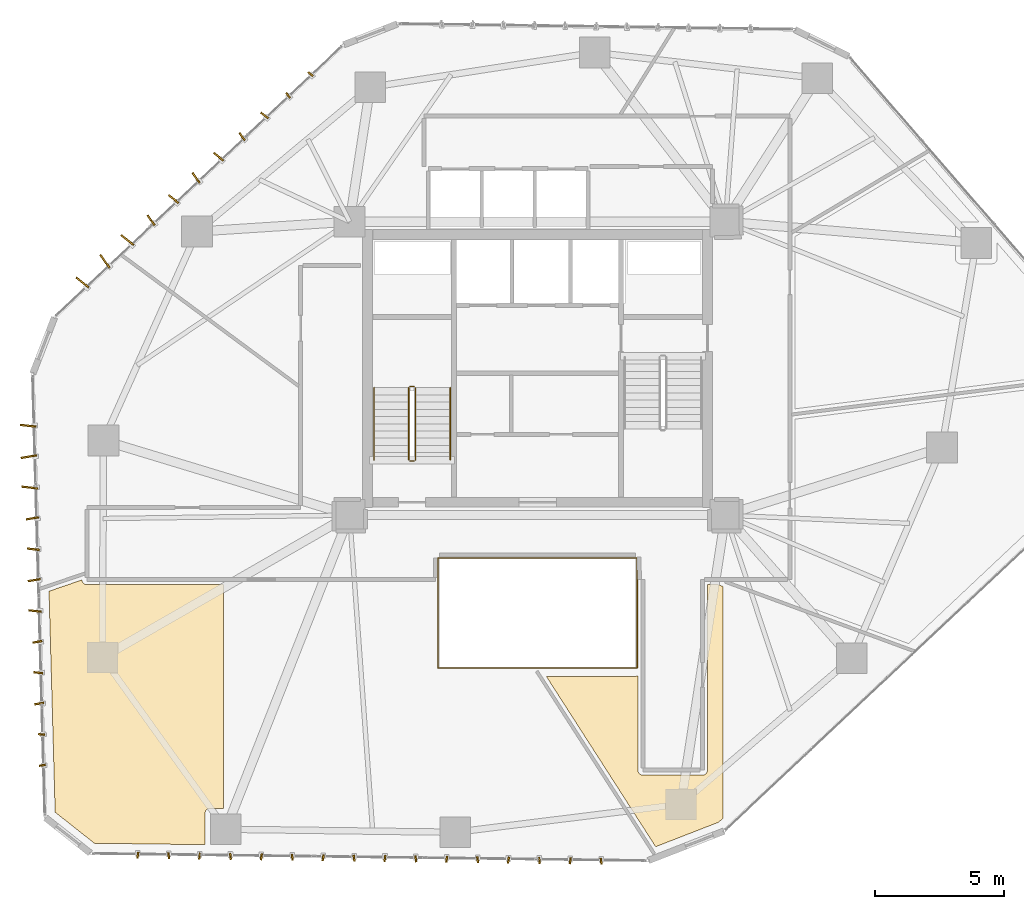
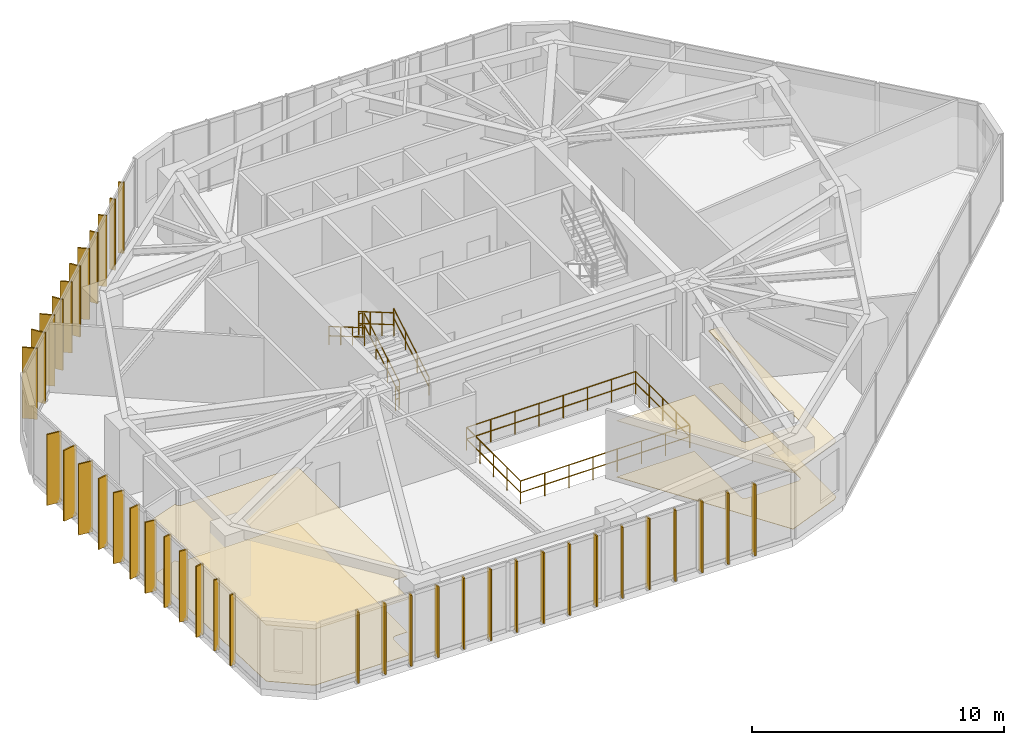
# One storey, part 21 of 22: 39 shading devices, 10 railings, 4 coverings.
"""IFC4 building model written with IfcOpenShell, lengths in metres."""

from ifc_helpers import new_model, si_unit, direction, frame, origin, origin_2d, place, context, subcontext, project, spatial, polyline, rectangle, circle, outline, extrude, source, transform, mapped, material, layer, layer_set, type_object, type_shapes, element, save


model = new_model("IFC4")

# Units and contexts
model_context = context("Model", 3, precision=1e-05, world=origin(), true_north=direction((0.0, 1.0)))
body_context = subcontext(model_context, "Body", "Model", "MODEL_VIEW")
ifc_project = project(units=[si_unit("LENGTHUNIT", "METRE"), si_unit("AREAUNIT", "SQUARE_METRE"), si_unit("VOLUMEUNIT", "CUBIC_METRE"), si_unit("PLANEANGLEUNIT", "RADIAN"), si_unit("MASSUNIT", "GRAM", prefix="KILO")], contexts=[model_context])

# Site, building, storey
site_placement = place(None, origin())
site = spatial("IfcSite", under=ifc_project, at=site_placement, CompositionType="ELEMENT")
building_placement = place(site_placement, origin())
building = spatial("IfcBuilding", under=site, at=building_placement, Name="Talar Marvaseh", CompositionType="ELEMENT")
storey_placement = place(building_placement, frame((0.0, 0.0, 89.39990234375)))
storey = spatial("IfcBuildingStorey", under=building, at=storey_placement, Name="L22", CompositionType="ELEMENT", Elevation=89.39990234375)

# Railings
ifc_material_1 = material(Name="Stainless Steel Grade 316", Category="steel")
railing_type_1 = type_object("IfcRailingType", Name="Brushed Stainless Wall Pitch Handrail 900", PredefinedType="HANDRAIL", material=ifc_material_1)
railing_1_placement = place(storey_placement, frame((22.610107421875, 27.64990234375, 0.163818359375)))
element("IfcRailing", 1, at=railing_1_placement, inside=storey, type_object=railing_type_1, Name="L22 ST-1 stair handrail 1", PredefinedType="HANDRAIL", context=body_context, shape_type="SweptSolid", body=[
    extrude(circle(Radius=0.02392578125, at=origin_2d()), frame((0.0, 0.0, 0.8759765625), z_axis=(0.0, 0.863393664356, 0.504530851732), x_axis=(-1.0, 0.0, 0.0)), (0.0, 0.0, 1.0), 3.2431640625),
    extrude(circle(Radius=0.02392578125, at=origin_2d()), frame((0.0, 0.0, 0.42578125), z_axis=(0.0, 0.863393664356, 0.504530851732), x_axis=(-1.0, 0.0, 0.0)), (0.0, 0.0, 1.0), 3.2431640625),
    extrude(circle(Radius=0.02099609375, at=origin_2d()), origin(), (0.0, 0.0, 1.0), 0.851806640625),
    extrude(circle(Radius=0.02099609375, at=origin_2d()), frame((0.0, 0.933349609375, 0.54541015625)), (0.0, 0.0, 1.0), 0.851806640625),
    extrude(circle(Radius=0.02099609375, at=origin_2d()), frame((0.0, 1.86669921875, 1.0908203125)), (0.0, 0.0, 1.0), 0.851806640625),
    extrude(circle(Radius=0.02099609375, at=origin_2d()), frame((0.0, 2.800048828125, 1.63623046875)), (0.0, 0.0, 1.0), 0.851806640625),
])
railing_2_placement = place(storey_placement, frame((19.64990234375, 30.449951171875, 1.963623046875)))
element("IfcRailing", 2, at=railing_2_placement, inside=storey, type_object=railing_type_1, Name="L22 ST-1 stair handrail 2", PredefinedType="HANDRAIL", context=body_context, shape_type="SweptSolid", body=[
    extrude(circle(Radius=0.02392578125, at=origin_2d()), frame((0.0, 0.0, 0.8759765625), z_axis=(0.0, -0.863360870873, 0.504586966384), x_axis=(1.0, 0.0, 0.0)), (0.0, 0.0, 1.0), 3.2431640625),
    extrude(circle(Radius=0.02392578125, at=origin_2d()), frame((0.0, 0.0, 0.42578125), z_axis=(0.0, -0.863360870873, 0.504586966384), x_axis=(1.0, 0.0, 0.0)), (0.0, 0.0, 1.0), 3.2431640625),
    extrude(circle(Radius=0.02099609375, at=origin_2d()), origin(), (0.0, 0.0, 1.0), 0.851806640625),
    extrude(circle(Radius=0.02099609375, at=origin_2d()), frame((0.0, -0.933349609375, 0.54541015625)), (0.0, 0.0, 1.0), 0.851806640625),
    extrude(circle(Radius=0.02099609375, at=origin_2d()), frame((0.0, -1.86669921875, 1.091064453125)), (0.0, 0.0, 1.0), 0.851806640625),
    extrude(circle(Radius=0.02099609375, at=origin_2d()), frame((0.0, -2.800048828125, 1.636474609375)), (0.0, 0.0, 1.0), 0.851806640625),
])
ifc_material_2 = material(Name="Tempered Clear Glass", Category="glass")
railing_type_2 = type_object("IfcRailingType", Name="Interior Atrium Edge Balustrade 1120", PredefinedType="BALUSTRADE", material=ifc_material_2)
railing_3_placement = place(storey_placement, frame((22.1298828125, 19.561279296875, 0.0)))
element("IfcRailing", 3, at=railing_3_placement, inside=storey, type_object=railing_type_2, Name="L22 Internal Daylight Atrium Balustrade 1", PredefinedType="BALUSTRADE", context=body_context, shape_type="SweptSolid", body=[
    extrude(circle(Radius=0.02392578125, at=origin_2d()), frame((0.0, 0.0, 1.09619140625), z_axis=(1.0, 0.0, 0.0), x_axis=(0.0, 1.0, 0.0)), (0.0, 0.0, 1.0), 7.740234375),
    extrude(circle(Radius=0.02392578125, at=origin_2d()), frame((0.0, 0.0, 0.5361328125), z_axis=(1.0, 0.0, 0.0), x_axis=(0.0, 1.0, 0.0)), (0.0, 0.0, 1.0), 7.740234375),
    extrude(circle(Radius=0.02099609375, at=origin_2d()), origin(), (0.0, 0.0, 1.0), 1.072021484375),
    extrude(circle(Radius=0.02099609375, at=origin_2d()), frame((1.105712890625, 0.0, 0.0)), (0.0, 0.0, 1.0), 1.072021484375),
    extrude(circle(Radius=0.02099609375, at=origin_2d()), frame((2.21142578125, 0.0, 0.0)), (0.0, 0.0, 1.0), 1.072021484375),
    extrude(circle(Radius=0.02099609375, at=origin_2d()), frame((3.317138671875, 0.0, 0.0)), (0.0, 0.0, 1.0), 1.072021484375),
    extrude(circle(Radius=0.02099609375, at=origin_2d()), frame((4.423095703125, 0.0, 0.0)), (0.0, 0.0, 1.0), 1.072021484375),
    extrude(circle(Radius=0.02099609375, at=origin_2d()), frame((5.52880859375, 0.0, 0.0)), (0.0, 0.0, 1.0), 1.072021484375),
    extrude(circle(Radius=0.02099609375, at=origin_2d()), frame((6.634521484375, 0.0, 0.0)), (0.0, 0.0, 1.0), 1.072021484375),
    extrude(circle(Radius=0.02099609375, at=origin_2d()), frame((7.740234375, 0.0, 0.0)), (0.0, 0.0, 1.0), 1.072021484375),
])
railing_4_placement = place(storey_placement, frame((29.8701171875, 19.561279296875, 0.0)))
element("IfcRailing", 4, at=railing_4_placement, inside=storey, type_object=railing_type_2, Name="L22 Internal Daylight Atrium Balustrade 2", PredefinedType="BALUSTRADE", context=body_context, shape_type="SweptSolid", body=[
    extrude(circle(Radius=0.02392578125, at=origin_2d()), frame((0.0, 0.0, 1.09619140625), z_axis=(0.0, 1.0, 0.0), x_axis=(-1.0, 0.0, 0.0)), (0.0, 0.0, 1.0), 4.27734375),
    extrude(circle(Radius=0.02392578125, at=origin_2d()), frame((0.0, 0.0, 0.5361328125), z_axis=(0.0, 1.0, 0.0), x_axis=(-1.0, 0.0, 0.0)), (0.0, 0.0, 1.0), 4.27734375),
    extrude(circle(Radius=0.02099609375, at=origin_2d()), origin(), (0.0, 0.0, 1.0), 1.072021484375),
    extrude(circle(Radius=0.02099609375, at=origin_2d()), frame((0.0, 1.0693359375, 0.0)), (0.0, 0.0, 1.0), 1.072021484375),
    extrude(circle(Radius=0.02099609375, at=origin_2d()), frame((0.0, 2.138671875, 0.0)), (0.0, 0.0, 1.0), 1.072021484375),
    extrude(circle(Radius=0.02099609375, at=origin_2d()), frame((0.0, 3.2080078125, 0.0)), (0.0, 0.0, 1.0), 1.072021484375),
    extrude(circle(Radius=0.02099609375, at=origin_2d()), frame((0.0, 4.27734375, 0.0)), (0.0, 0.0, 1.0), 1.072021484375),
])
railing_5_placement = place(storey_placement, frame((29.8701171875, 23.838623046875, 0.0)))
element("IfcRailing", 5, at=railing_5_placement, inside=storey, type_object=railing_type_2, Name="L22 Internal Daylight Atrium Balustrade 3", PredefinedType="BALUSTRADE", context=body_context, shape_type="SweptSolid", body=[
    extrude(circle(Radius=0.02392578125, at=origin_2d()), frame((0.0, 0.0, 1.09619140625), z_axis=(-1.0, 0.0, 0.0), x_axis=(0.0, -1.0, 0.0)), (0.0, 0.0, 1.0), 7.740234375),
    extrude(circle(Radius=0.02392578125, at=origin_2d()), frame((0.0, 0.0, 0.5361328125), z_axis=(-1.0, 0.0, 0.0), x_axis=(0.0, -1.0, 0.0)), (0.0, 0.0, 1.0), 7.740234375),
    extrude(circle(Radius=0.02099609375, at=origin_2d()), origin(), (0.0, 0.0, 1.0), 1.072021484375),
    extrude(circle(Radius=0.02099609375, at=origin_2d()), frame((-1.105712890625, 0.0, 0.0)), (0.0, 0.0, 1.0), 1.072021484375),
    extrude(circle(Radius=0.02099609375, at=origin_2d()), frame((-2.21142578125, 0.0, 0.0)), (0.0, 0.0, 1.0), 1.072021484375),
    extrude(circle(Radius=0.02099609375, at=origin_2d()), frame((-3.317138671875, 0.0, 0.0)), (0.0, 0.0, 1.0), 1.072021484375),
    extrude(circle(Radius=0.02099609375, at=origin_2d()), frame((-4.423095703125, 0.0, 0.0)), (0.0, 0.0, 1.0), 1.072021484375),
    extrude(circle(Radius=0.02099609375, at=origin_2d()), frame((-5.52880859375, 0.0, 0.0)), (0.0, 0.0, 1.0), 1.072021484375),
    extrude(circle(Radius=0.02099609375, at=origin_2d()), frame((-6.634521484375, 0.0, 0.0)), (0.0, 0.0, 1.0), 1.072021484375),
    extrude(circle(Radius=0.02099609375, at=origin_2d()), frame((-7.740234375, 0.0, 0.0)), (0.0, 0.0, 1.0), 1.072021484375),
])
railing_6_placement = place(storey_placement, frame((22.1298828125, 23.838623046875, 0.0)))
element("IfcRailing", 6, at=railing_6_placement, inside=storey, type_object=railing_type_2, Name="L22 Internal Daylight Atrium Balustrade 4", PredefinedType="BALUSTRADE", context=body_context, shape_type="SweptSolid", body=[
    extrude(circle(Radius=0.02392578125, at=origin_2d()), frame((0.0, 0.0, 1.09619140625), z_axis=(0.0, -1.0, 0.0), x_axis=(1.0, 0.0, 0.0)), (0.0, 0.0, 1.0), 4.27734375),
    extrude(circle(Radius=0.02392578125, at=origin_2d()), frame((0.0, 0.0, 0.5361328125), z_axis=(0.0, -1.0, 0.0), x_axis=(1.0, 0.0, 0.0)), (0.0, 0.0, 1.0), 4.27734375),
    extrude(circle(Radius=0.02099609375, at=origin_2d()), origin(), (0.0, 0.0, 1.0), 1.072021484375),
    extrude(circle(Radius=0.02099609375, at=origin_2d()), frame((0.0, -1.0693359375, 0.0)), (0.0, 0.0, 1.0), 1.072021484375),
    extrude(circle(Radius=0.02099609375, at=origin_2d()), frame((0.0, -2.138671875, 0.0)), (0.0, 0.0, 1.0), 1.072021484375),
    extrude(circle(Radius=0.02099609375, at=origin_2d()), frame((0.0, -3.2080078125, 0.0)), (0.0, 0.0, 1.0), 1.072021484375),
    extrude(circle(Radius=0.02099609375, at=origin_2d()), frame((0.0, -4.27734375, 0.0)), (0.0, 0.0, 1.0), 1.072021484375),
])
railing_type_3 = type_object("IfcRailingType", Name="Painted Steel Core Stair Well Guardrail 1150", PredefinedType="GUARDRAIL", material=ifc_material_1)
railing_7_placement = place(storey_placement, frame((21.260009765625, 27.64990234375, 0.163818359375)))
element("IfcRailing", 7, at=railing_7_placement, inside=storey, type_object=railing_type_3, Name="L22 ST-1 stair guard 1", PredefinedType="GUARDRAIL", context=body_context, shape_type="SweptSolid", body=[
    extrude(circle(Radius=0.02392578125, at=origin_2d()), frame((0.0, 0.0, 1.1259765625), z_axis=(0.0, 0.863393664356, 0.504530851732), x_axis=(-1.0, 0.0, 0.0)), (0.0, 0.0, 1.0), 3.2431640625),
    extrude(circle(Radius=0.02392578125, at=origin_2d()), frame((0.0, 0.0, 0.55078125), z_axis=(0.0, 0.863393664356, 0.504530851732), x_axis=(-1.0, 0.0, 0.0)), (0.0, 0.0, 1.0), 3.2431640625),
    extrude(circle(Radius=0.02099609375, at=origin_2d()), origin(), (0.0, 0.0, 1.0), 1.101806640625),
    extrude(circle(Radius=0.02099609375, at=origin_2d()), frame((0.0, 0.933349609375, 0.54541015625)), (0.0, 0.0, 1.0), 1.101806640625),
    extrude(circle(Radius=0.02099609375, at=origin_2d()), frame((0.0, 1.86669921875, 1.0908203125)), (0.0, 0.0, 1.0), 1.101806640625),
    extrude(circle(Radius=0.02099609375, at=origin_2d()), frame((0.0, 2.800048828125, 1.63623046875)), (0.0, 0.0, 1.0), 1.101806640625),
])
railing_8_placement = place(storey_placement, frame((21.2099609375, 30.5, 1.800048828125)))
element("IfcRailing", 8, at=railing_8_placement, inside=storey, type_object=railing_type_3, Name="L22 ST-1 stair guard 2", PredefinedType="GUARDRAIL", context=body_context, shape_type="SweptSolid", body=[
    extrude(circle(Radius=0.02392578125, at=origin_2d()), frame((0.0, 0.0, 1.1259765625), z_axis=(-1.0, 0.0, 0.0), x_axis=(0.0, -1.0, 0.0)), (0.0, 0.0, 1.0), 0.159912109375),
    extrude(circle(Radius=0.02392578125, at=origin_2d()), frame((0.0, 0.0, 0.55078125), z_axis=(-1.0, 0.0, 0.0), x_axis=(0.0, -1.0, 0.0)), (0.0, 0.0, 1.0), 0.159912109375),
    extrude(circle(Radius=0.02099609375, at=origin_2d()), origin(), (0.0, 0.0, 1.0), 1.101806640625),
    extrude(circle(Radius=0.02099609375, at=origin_2d()), frame((-0.159912109375, 0.0, 0.0)), (0.0, 0.0, 1.0), 1.101806640625),
])
railing_9_placement = place(storey_placement, frame((21.0, 30.449951171875, 1.963623046875)))
element("IfcRailing", 9, at=railing_9_placement, inside=storey, type_object=railing_type_3, Name="L22 ST-1 stair guard 3", PredefinedType="GUARDRAIL", context=body_context, shape_type="SweptSolid", body=[
    extrude(circle(Radius=0.02392578125, at=origin_2d()), frame((0.0, 0.0, 1.1259765625), z_axis=(0.0, -0.863360870873, 0.504586966384), x_axis=(1.0, 0.0, 0.0)), (0.0, 0.0, 1.0), 3.2431640625),
    extrude(circle(Radius=0.02392578125, at=origin_2d()), frame((0.0, 0.0, 0.55078125), z_axis=(0.0, -0.863360870873, 0.504586966384), x_axis=(1.0, 0.0, 0.0)), (0.0, 0.0, 1.0), 3.2431640625),
    extrude(circle(Radius=0.02099609375, at=origin_2d()), origin(), (0.0, 0.0, 1.0), 1.101806640625),
    extrude(circle(Radius=0.02099609375, at=origin_2d()), frame((0.0, -0.933349609375, 0.54541015625)), (0.0, 0.0, 1.0), 1.101806640625),
    extrude(circle(Radius=0.02099609375, at=origin_2d()), frame((0.0, -1.86669921875, 1.091064453125)), (0.0, 0.0, 1.0), 1.101806640625),
    extrude(circle(Radius=0.02099609375, at=origin_2d()), frame((0.0, -2.800048828125, 1.636474609375)), (0.0, 0.0, 1.0), 1.101806640625),
])
railing_10_placement = place(storey_placement, frame((21.2099609375, 27.60009765625, 0.0)))
element("IfcRailing", 10, at=railing_10_placement, inside=storey, type_object=railing_type_3, Name="L22 ST-1 stair guard 4", PredefinedType="GUARDRAIL", context=body_context, shape_type="SweptSolid", body=[
    extrude(circle(Radius=0.02392578125, at=origin_2d()), frame((0.0, 0.0, 1.1259765625), z_axis=(-1.0, 0.0, 0.0), x_axis=(0.0, -1.0, 0.0)), (0.0, 0.0, 1.0), 0.159912109375),
    extrude(circle(Radius=0.02392578125, at=origin_2d()), frame((0.0, 0.0, 0.55078125), z_axis=(-1.0, 0.0, 0.0), x_axis=(0.0, -1.0, 0.0)), (0.0, 0.0, 1.0), 0.159912109375),
    extrude(circle(Radius=0.02099609375, at=origin_2d()), origin(), (0.0, 0.0, 1.0), 1.101806640625),
    extrude(circle(Radius=0.02099609375, at=origin_2d()), frame((-0.159912109375, 0.0, 0.0)), (0.0, 0.0, 1.0), 1.101806640625),
])

# Coverings
ifc_material_3 = material(Name="Mineral Fibre Acoustic Ceiling")
ifc_layer_1 = layer(ifc_material_3, 0.02490234375)
ifc_layer_set_1 = layer_set([ifc_layer_1], Name="Mineral Fibre Acoustic Ceiling")
covering_type_1 = type_object("IfcCoveringType", Name="Perforated Mineral Fibre Acoustic Suspended Ceiling", PredefinedType="CEILING", material=ifc_layer_set_1)
covering_1_placement = place(storey_placement, frame((0.0, 0.0, 2.72021484375)))
element("IfcCovering", 11, at=covering_1_placement, inside=storey, type_object=covering_type_1, Name="L22 Exhibition Gallery Acoustic Ceiling", PredefinedType="CEILING", context=body_context, shape_type="SweptSolid", body=[
    extrude(outline(polyline([(8.3037109375, 22.9609375), (8.30859375, 22.94189453125), (8.315185546875, 22.923583984375), (8.323486328125, 22.90576171875), (8.333740234375, 22.888916015625), (8.345458984375, 22.873046875), (8.358642578125, 22.858642578125), (8.373046875, 22.845458984375), (8.388916015625, 22.833740234375), (8.40576171875, 22.823486328125), (8.423583984375, 22.815185546875), (8.44189453125, 22.80859375), (8.4609375, 22.8037109375), (8.48046875, 22.801025390625), (8.5, 22.800048828125), (13.800048828125, 22.800048828125), (13.800048828125, 14.111572265625), (13.27978515625, 14.109619140625), (13.260009765625, 14.108642578125), (13.24072265625, 14.105712890625), (13.2216796875, 14.100830078125), (13.203369140625, 14.09423828125), (13.185791015625, 14.085693359375), (13.1689453125, 14.07568359375), (13.1533203125, 14.06396484375), (13.138671875, 14.05078125), (13.12548828125, 14.0361328125), (13.114013671875, 14.0205078125), (13.10400390625, 14.003662109375), (13.095703125, 13.986083984375), (13.089111328125, 13.967529296875), (13.084228515625, 13.948486328125), (13.081298828125, 13.92919921875), (13.080322265625, 13.90966796875), (13.080322265625, 12.69921875), (8.785888671875, 12.7548828125), (7.262451171875, 13.959228515625), (7.023193359375, 22.544677734375), (8.30078125, 22.984619140625), (8.301025390625, 22.98046875), (8.3037109375, 22.9609375)])), origin(), (0.0, 0.0, 1.0), 0.02490234375),
])
covering_2_placement = place(storey_placement, frame((0.0, 0.0, 2.72021484375)))
element("IfcCovering", 12, at=covering_2_placement, inside=storey, type_object=covering_type_1, Name="L22 Hospitality Tea Pantry Acoustic Ceiling", PredefinedType="CEILING", context=body_context, shape_type="SweptSolid", body=[
    extrude(outline(polyline([(29.90087890625, 15.580322265625), (29.90380859375, 15.56103515625), (29.90869140625, 15.5419921875), (29.915283203125, 15.5234375), (29.923583984375, 15.505615234375), (29.93359375, 15.489013671875), (29.9453125, 15.47314453125), (29.95849609375, 15.45849609375), (29.97314453125, 15.4453125), (29.989013671875, 15.43359375), (30.005615234375, 15.423583984375), (30.0234375, 15.415283203125), (30.0419921875, 15.40869140625), (30.06103515625, 15.40380859375), (30.080322265625, 15.40087890625), (30.10009765625, 15.39990234375), (32.39990234375, 15.39990234375), (32.419677734375, 15.40087890625), (32.43896484375, 15.40380859375), (32.4580078125, 15.40869140625), (32.4765625, 15.415283203125), (32.494384765625, 15.423583984375), (32.510986328125, 15.43359375), (32.52685546875, 15.4453125), (32.54150390625, 15.45849609375), (32.5546875, 15.47314453125), (32.56640625, 15.489013671875), (32.576416015625, 15.505615234375), (32.584716796875, 15.5234375), (32.59130859375, 15.5419921875), (32.59619140625, 15.56103515625), (32.59912109375, 15.580322265625), (32.60009765625, 15.60009765625), (32.60009765625, 22.800048828125), (33.021484375, 22.800048828125), (33.199951171875, 22.734619140625), (33.199951171875, 13.725830078125), (33.03759765625, 13.5732421875), (30.589111328125, 12.62109375), (26.34033203125, 19.239990234375), (29.800048828125, 19.239990234375), (29.819580078125, 19.240966796875), (29.839111328125, 19.243896484375), (29.89990234375, 19.256103515625), (29.89990234375, 15.60009765625), (29.90087890625, 15.580322265625)])), origin(), (0.0, 0.0, 1.0), 0.02490234375),
])
ifc_material_4 = material(Name="Porcelain Stoneware Tile", Category="masonry")
ifc_layer_2 = layer(ifc_material_4, 0.02001953125)
ifc_layer_set_2 = layer_set([ifc_layer_2], Name="Porcelain Stoneware Tile")
covering_type_2 = type_object("IfcCoveringType", Name="Polished Porcelain Stoneware Gallery Flooring", PredefinedType="FLOORING", material=ifc_layer_set_2)
covering_3_placement = place(storey_placement, origin())
element("IfcCovering", 13, at=covering_3_placement, inside=storey, type_object=covering_type_2, Name="L22 Exhibition Gallery Flooring", PredefinedType="FLOORING", context=body_context, shape_type="SweptSolid", body=[
    extrude(outline(polyline([(8.3037109375, 22.9609375), (8.30859375, 22.94189453125), (8.315185546875, 22.923583984375), (8.323486328125, 22.90576171875), (8.333740234375, 22.888916015625), (8.345458984375, 22.873046875), (8.358642578125, 22.858642578125), (8.373046875, 22.845458984375), (8.388916015625, 22.833740234375), (8.40576171875, 22.823486328125), (8.423583984375, 22.815185546875), (8.44189453125, 22.80859375), (8.4609375, 22.8037109375), (8.48046875, 22.801025390625), (8.5, 22.800048828125), (13.800048828125, 22.800048828125), (13.800048828125, 14.111572265625), (13.27978515625, 14.109619140625), (13.260009765625, 14.108642578125), (13.24072265625, 14.105712890625), (13.2216796875, 14.100830078125), (13.203369140625, 14.09423828125), (13.185791015625, 14.085693359375), (13.1689453125, 14.07568359375), (13.1533203125, 14.06396484375), (13.138671875, 14.05078125), (13.12548828125, 14.0361328125), (13.114013671875, 14.0205078125), (13.10400390625, 14.003662109375), (13.095703125, 13.986083984375), (13.089111328125, 13.967529296875), (13.084228515625, 13.948486328125), (13.081298828125, 13.92919921875), (13.080322265625, 13.90966796875), (13.080322265625, 12.69921875), (8.785888671875, 12.7548828125), (7.262451171875, 13.959228515625), (7.023193359375, 22.544677734375), (8.30078125, 22.984619140625), (8.301025390625, 22.98046875), (8.3037109375, 22.9609375)])), origin(), (0.0, 0.0, 1.0), 0.02001953125),
])
covering_4_placement = place(storey_placement, origin())
element("IfcCovering", 14, at=covering_4_placement, inside=storey, type_object=covering_type_2, Name="L22 Hospitality Tea Pantry Flooring", PredefinedType="FLOORING", context=body_context, shape_type="SweptSolid", body=[
    extrude(outline(polyline([(29.90087890625, 15.580322265625), (29.90380859375, 15.56103515625), (29.90869140625, 15.5419921875), (29.915283203125, 15.5234375), (29.923583984375, 15.505615234375), (29.93359375, 15.489013671875), (29.9453125, 15.47314453125), (29.95849609375, 15.45849609375), (29.97314453125, 15.4453125), (29.989013671875, 15.43359375), (30.005615234375, 15.423583984375), (30.0234375, 15.415283203125), (30.0419921875, 15.40869140625), (30.06103515625, 15.40380859375), (30.080322265625, 15.40087890625), (30.10009765625, 15.39990234375), (32.39990234375, 15.39990234375), (32.419677734375, 15.40087890625), (32.43896484375, 15.40380859375), (32.4580078125, 15.40869140625), (32.4765625, 15.415283203125), (32.494384765625, 15.423583984375), (32.510986328125, 15.43359375), (32.52685546875, 15.4453125), (32.54150390625, 15.45849609375), (32.5546875, 15.47314453125), (32.56640625, 15.489013671875), (32.576416015625, 15.505615234375), (32.584716796875, 15.5234375), (32.59130859375, 15.5419921875), (32.59619140625, 15.56103515625), (32.59912109375, 15.580322265625), (32.60009765625, 15.60009765625), (32.60009765625, 22.800048828125), (33.021484375, 22.800048828125), (33.199951171875, 22.734619140625), (33.199951171875, 13.725830078125), (33.03759765625, 13.5732421875), (30.589111328125, 12.62109375), (26.34033203125, 19.239990234375), (29.800048828125, 19.239990234375), (29.819580078125, 19.240966796875), (29.839111328125, 19.243896484375), (29.89990234375, 19.256103515625), (29.89990234375, 15.60009765625), (29.90087890625, 15.580322265625)])), origin(), (0.0, 0.0, 1.0), 0.02001953125),
])

# Shading devices
ifc_material_5 = material(Name="Anodised Champagne Bronze Aluminium", Category="aluminium")
ifc_layer_3 = layer(ifc_material_5, 0.06494140625)
ifc_layer_set_3 = layer_set([ifc_layer_3], Name="Anodised Champagne Bronze Aluminium")
shading_device_type_1 = type_object("IfcShadingDeviceType", Name="Sawtooth Champagne Bronze Vertical Fin 240", PredefinedType="USERDEFINED", material=ifc_layer_set_3)
shared_shape_1 = source(origin(), body_context, "Body", "SweptSolid", [
    extrude(rectangle(XDim=0.239990234375, YDim=0.06494140625, at=origin_2d()), origin(), (0.0, 0.0, 1.0), 3.429931640625),
])
type_shapes(shading_device_type_1, [shared_shape_1])
for number, where, z_axis, x_axis, name in (
    (15, (6.766357421875, 15.782958984375, -0.11962890625), (0.0, 0.0, 1.0), (-0.985996037071, -0.166768746716, 0.0), "L22 Sawtooth Vertical Solar Fin"),
    (16, (6.73291015625, 16.982421875, -0.11962890625), (0.0, 0.0, 1.0), (-0.993767919161, 0.111468932206, 0.0), "L22 Sawtooth Vertical Solar Fin"),
    (17, (16.310546875, 41.807861328125, -0.11962890625), (0.0, 0.0, 1.0), (-0.578142474935, 0.815935829999, 0.0), "L22 Sawtooth Vertical Solar Fin"),
    (18, (17.18359375, 42.631103515625, -0.11962890625), (0.0, 0.0, 1.0), (-0.780648610647, 0.624970196645, 0.0), "L22 Sawtooth Vertical Solar Fin"),
    (19, (28.4716796875, 12.05517578125, -0.11962890625), (0.0, 0.0, 1.0), (0.126372104739, -0.991982908695, 0.0), "L22 Sawtooth Vertical Solar Fin"),
    (20, (27.271728515625, 12.070556640625, -0.11962890625), (0.0, 0.0, 1.0), (-0.151950882248, -0.988388045954, 0.0), "L22 Sawtooth Vertical Solar Fin"),
    (21, (26.072021484375, 12.086181640625, -0.11962890625), (0.0, 0.0, 1.0), (0.126372104739, -0.991982908695, 0.0), "L22 Sawtooth Vertical Solar Fin"),
    (22, (24.8720703125, 12.101806640625, -0.11962890625), (0.0, 0.0, 1.0), (-0.151950882248, -0.988388045954, 0.0), "L22 Sawtooth Vertical Solar Fin"),
    (23, (23.672119140625, 12.1171875, -0.11962890625), (0.0, 0.0, 1.0), (0.126372104739, -0.991982908695, 0.0), "L22 Sawtooth Vertical Solar Fin"),
    (24, (22.47216796875, 12.1328125, -0.11962890625), (0.0, 0.0, 1.0), (-0.151950882248, -0.988388045954, 0.0), "L22 Sawtooth Vertical Solar Fin"),
    (25, (21.272216796875, 12.148193359375, -0.11962890625), (0.0, 0.0, 1.0), (0.126372104739, -0.991982908695, 0.0), "L22 Sawtooth Vertical Solar Fin"),
    (26, (20.072509765625, 12.163818359375, -0.11962890625), (0.0, 0.0, 1.0), (-0.151950882248, -0.988388045954, 0.0), "L22 Sawtooth Vertical Solar Fin"),
    (27, (18.87255859375, 12.17919921875, -0.11962890625), (0.0, 0.0, 1.0), (0.126372104739, -0.991982908695, 0.0), "L22 Sawtooth Vertical Solar Fin"),
    (28, (17.672607421875, 12.19482421875, -0.11962890625), (0.0, 0.0, 1.0), (-0.151950882248, -0.988388045954, 0.0), "L22 Sawtooth Vertical Solar Fin"),
    (29, (16.47265625, 12.210205078125, -0.11962890625), (0.0, 0.0, 1.0), (0.126372104739, -0.991982908695, 0.0), "L22 Sawtooth Vertical Solar Fin"),
    (30, (15.272705078125, 12.225830078125, -0.11962890625), (0.0, 0.0, 1.0), (-0.151950882248, -0.988388045954, 0.0), "L22 Sawtooth Vertical Solar Fin"),
    (31, (14.072998046875, 12.241455078125, -0.11962890625), (0.0, 0.0, 1.0), (0.126372104739, -0.991982908695, 0.0), "L22 Sawtooth Vertical Solar Fin"),
    (32, (12.873046875, 12.2568359375, -0.11962890625), (0.0, 0.0, 1.0), (-0.151950882248, -0.988388045954, 0.0), "L22 Sawtooth Vertical Solar Fin"),
    (33, (11.673095703125, 12.2724609375, -0.11962890625), (0.0, 0.0, 1.0), (0.126372104739, -0.991982908695, 0.0), "L22 Sawtooth Vertical Solar Fin"),
    (34, (10.47314453125, 12.287841796875, -0.11962890625), (0.0, 0.0, 1.0), (-0.151950882248, -0.988388045954, 0.0), "L22 Sawtooth Vertical Solar Fin"),
):
    element("IfcShadingDevice", number, at=place(storey_placement, frame(where, z_axis=z_axis, x_axis=x_axis)), inside=storey, type_object=shading_device_type_1, Name=name, ObjectType="FIN", PredefinedType="USERDEFINED", context=body_context, shape_type="MappedRepresentation", body=[
        mapped(shared_shape_1, transform((0.0, 0.0, 0.0), x_axis=(1.0, 0.0, 0.0), y_axis=(0.0, 1.0, 0.0), z_axis=(0.0, 0.0, 1.0), scale=1.0)),
    ])
ifc_layer_4 = layer(ifc_material_5, 0.06494140625)
ifc_layer_set_4 = layer_set([ifc_layer_4], Name="Anodised Champagne Bronze Aluminium")
shading_device_type_2 = type_object("IfcShadingDeviceType", Name="Sawtooth Champagne Bronze Vertical Fin 360", PredefinedType="USERDEFINED", material=ifc_layer_set_4)
shared_shape_2 = source(origin(), body_context, "Body", "SweptSolid", [
    extrude(rectangle(XDim=0.360107421875, YDim=0.06494140625, at=origin_2d()), origin(), (0.0, 0.0, 1.0), 3.429931640625),
])
type_shapes(shading_device_type_2, [shared_shape_2])
for number, where, z_axis, x_axis, name in (
    (35, (6.6396484375, 18.180419921875, -0.11962890625), (0.0, 0.0, 1.0), (-0.985996037071, -0.166768746716, 0.0), "L22 Sawtooth Vertical Solar Fin"),
    (36, (6.606201171875, 19.3798828125, -0.11962890625), (0.0, 0.0, 1.0), (-0.993767919161, 0.111468932206, 0.0), "L22 Sawtooth Vertical Solar Fin"),
    (37, (6.57275390625, 20.57958984375, -0.11962890625), (0.0, 0.0, 1.0), (-0.985996037071, -0.166768746716, 0.0), "L22 Sawtooth Vertical Solar Fin"),
    (38, (14.523193359375, 40.205078125, -0.11962890625), (0.0, 0.0, 1.0), (-0.578142474935, 0.815935829999, 0.0), "L22 Sawtooth Vertical Solar Fin"),
    (39, (15.396240234375, 41.0283203125, -0.11962890625), (0.0, 0.0, 1.0), (-0.780648610647, 0.624970196645, 0.0), "L22 Sawtooth Vertical Solar Fin"),
):
    element("IfcShadingDevice", number, at=place(storey_placement, frame(where, z_axis=z_axis, x_axis=x_axis)), inside=storey, type_object=shading_device_type_2, Name=name, ObjectType="FIN", PredefinedType="USERDEFINED", context=body_context, shape_type="MappedRepresentation", body=[
        mapped(shared_shape_2, transform((0.0, 0.0, 0.0), x_axis=(1.0, 0.0, 0.0), y_axis=(0.0, 1.0, 0.0), z_axis=(0.0, 0.0, 1.0), scale=1.0)),
    ])
ifc_layer_5 = layer(ifc_material_5, 0.06494140625)
ifc_layer_set_5 = layer_set([ifc_layer_5], Name="Anodised Champagne Bronze Aluminium")
shading_device_type_3 = type_object("IfcShadingDeviceType", Name="Sawtooth Champagne Bronze Vertical Fin 480", PredefinedType="USERDEFINED", material=ifc_layer_set_5)
shared_shape_3 = source(origin(), body_context, "Body", "SweptSolid", [
    extrude(rectangle(XDim=0.47998046875, YDim=0.06494140625, at=origin_2d()), origin(), (0.0, 0.0, 1.0), 3.429931640625),
])
type_shapes(shading_device_type_3, [shared_shape_3])
for number, where, z_axis, x_axis, name in (
    (40, (6.4794921875, 21.77734375, -0.11962890625), (0.0, 0.0, 1.0), (-0.993767919161, 0.111468932206, 0.0), "L22 Sawtooth Vertical Solar Fin"),
    (41, (6.44580078125, 22.976806640625, -0.11962890625), (0.0, 0.0, 1.0), (-0.985996037071, -0.166768746716, 0.0), "L22 Sawtooth Vertical Solar Fin"),
    (42, (6.41259765625, 24.176513671875, -0.11962890625), (0.0, 0.0, 1.0), (-0.993767919161, 0.111468932206, 0.0), "L22 Sawtooth Vertical Solar Fin"),
    (43, (6.379150390625, 25.3759765625, -0.11962890625), (0.0, 0.0, 1.0), (-0.985996037071, -0.166768746716, 0.0), "L22 Sawtooth Vertical Solar Fin"),
    (44, (10.98974609375, 36.95556640625, -0.11962890625), (0.0, 0.0, 1.0), (-0.578142474935, 0.815935829999, 0.0), "L22 Sawtooth Vertical Solar Fin"),
    (45, (11.86279296875, 37.77880859375, -0.11962890625), (0.0, 0.0, 1.0), (-0.780648610647, 0.624970196645, 0.0), "L22 Sawtooth Vertical Solar Fin"),
    (46, (12.73583984375, 38.602294921875, -0.11962890625), (0.0, 0.0, 1.0), (-0.578142474935, 0.815935829999, 0.0), "L22 Sawtooth Vertical Solar Fin"),
    (47, (13.60888671875, 39.42529296875, -0.11962890625), (0.0, 0.0, 1.0), (-0.780648610647, 0.624970196645, 0.0), "L22 Sawtooth Vertical Solar Fin"),
):
    element("IfcShadingDevice", number, at=place(storey_placement, frame(where, z_axis=z_axis, x_axis=x_axis)), inside=storey, type_object=shading_device_type_3, Name=name, ObjectType="FIN", PredefinedType="USERDEFINED", context=body_context, shape_type="MappedRepresentation", body=[
        mapped(shared_shape_3, transform((0.0, 0.0, 0.0), x_axis=(1.0, 0.0, 0.0), y_axis=(0.0, 1.0, 0.0), z_axis=(0.0, 0.0, 1.0), scale=1.0)),
    ])
ifc_layer_6 = layer(ifc_material_5, 0.06494140625)
ifc_layer_set_6 = layer_set([ifc_layer_6], Name="Anodised Champagne Bronze Aluminium")
shading_device_type_4 = type_object("IfcShadingDeviceType", Name="Sawtooth Champagne Bronze Vertical Fin 620", PredefinedType="USERDEFINED", material=ifc_layer_set_6)
shared_shape_4 = source(origin(), body_context, "Body", "SweptSolid", [
    extrude(rectangle(XDim=0.6201171875, YDim=0.06494140625, at=origin_2d()), origin(), (0.0, 0.0, 1.0), 3.429931640625),
])
type_shapes(shading_device_type_4, [shared_shape_4])
for number, where, z_axis, x_axis, name in (
    (48, (6.275634765625, 26.573486328125, -0.11962890625), (0.0, 0.0, 1.0), (-0.993767919161, 0.111468932206, 0.0), "L22 Sawtooth Vertical Solar Fin"),
    (49, (6.2421875, 27.77294921875, -0.11962890625), (0.0, 0.0, 1.0), (-0.985996037071, -0.166768746716, 0.0), "L22 Sawtooth Vertical Solar Fin"),
    (50, (6.208740234375, 28.97265625, -0.11962890625), (0.0, 0.0, 1.0), (-0.993767919161, 0.111468932206, 0.0), "L22 Sawtooth Vertical Solar Fin"),
    (51, (8.322509765625, 34.536865234375, -0.11962890625), (0.0, 0.0, 1.0), (-0.780648610647, 0.624970196645, 0.0), "L22 Sawtooth Vertical Solar Fin"),
    (52, (9.195556640625, 35.360107421875, -0.11962890625), (0.0, 0.0, 1.0), (-0.578142474935, 0.815935829999, 0.0), "L22 Sawtooth Vertical Solar Fin"),
    (53, (10.068603515625, 36.183349609375, -0.11962890625), (0.0, 0.0, 1.0), (-0.780648610647, 0.624970196645, 0.0), "L22 Sawtooth Vertical Solar Fin"),
):
    element("IfcShadingDevice", number, at=place(storey_placement, frame(where, z_axis=z_axis, x_axis=x_axis)), inside=storey, type_object=shading_device_type_4, Name=name, ObjectType="FIN", PredefinedType="USERDEFINED", context=body_context, shape_type="MappedRepresentation", body=[
        mapped(shared_shape_4, transform((0.0, 0.0, 0.0), x_axis=(1.0, 0.0, 0.0), y_axis=(0.0, 1.0, 0.0), z_axis=(0.0, 0.0, 1.0), scale=1.0)),
    ])

save(model, "model.ifc")
